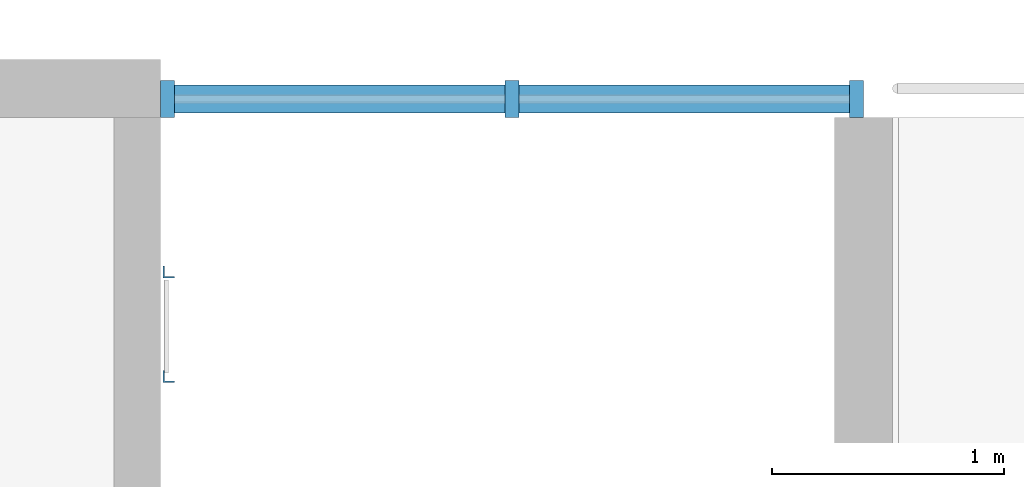
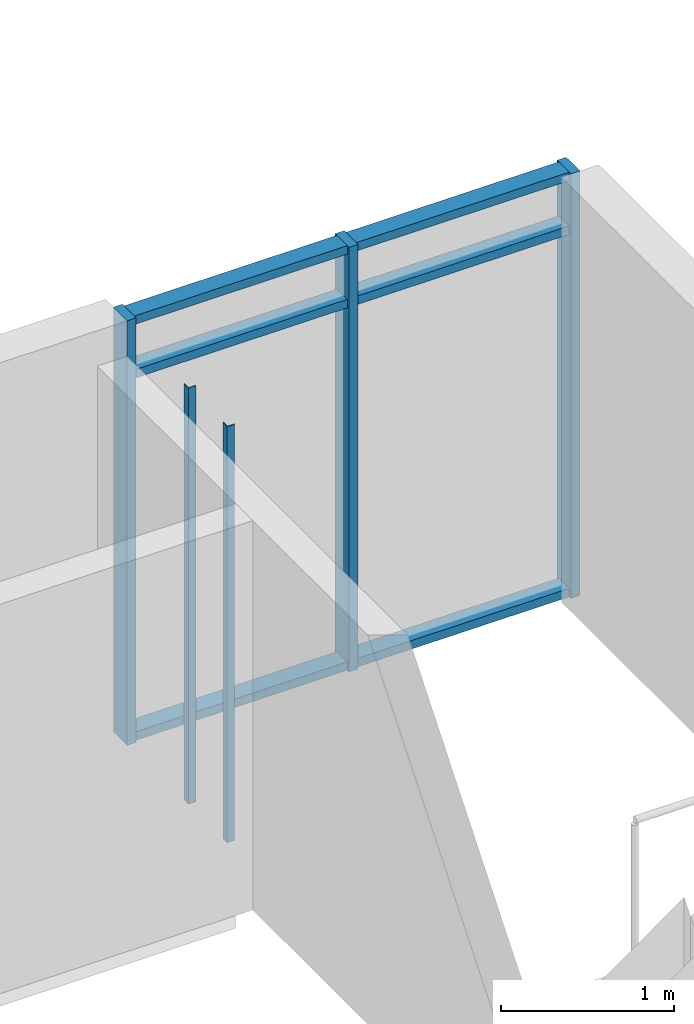
# One storey, part 8 of 33: 11 members, 1 element without a shape of its own.
"""IFC4 building model written with IfcOpenShell, lengths in metres."""

from ifc_helpers import new_model, si_unit, direction, frame, origin, origin_2d, place, context, subcontext, project, spatial, polyline, rectangle, outline, extrude, material, material_profile, profile_set, type_object, element, aggregate, save


model = new_model("IFC4")

# Units and contexts
model_context = context("Model", 3, precision=1e-05, world=origin(), true_north=direction((0.0, 1.0)))
body_context = subcontext(model_context, "Body", "Model", "MODEL_VIEW")
ifc_project = project(units=[si_unit("LENGTHUNIT", "METRE"), si_unit("AREAUNIT", "SQUARE_METRE"), si_unit("VOLUMEUNIT", "CUBIC_METRE"), si_unit("PLANEANGLEUNIT", "RADIAN"), si_unit("MASSUNIT", "GRAM", prefix="KILO")], contexts=[model_context])

# Site, building, storey
site_placement = place(None, origin())
site = spatial("IfcSite", under=ifc_project, at=site_placement, CompositionType="ELEMENT")
building_placement = place(site_placement, origin())
building = spatial("IfcBuilding", under=site, at=building_placement, Name="Ridgestep Commons", CompositionType="ELEMENT")
storey_placement = place(building_placement, frame((0.0, 0.0, 42.0)))
storey = spatial("IfcBuildingStorey", under=building, at=storey_placement, Name="L14", CompositionType="ELEMENT", Elevation=42.0)

# Members
ifc_material_1 = material(Name="Structural steel S355JR", Category="steel")
ifc_material_profile_1 = material_profile(ifc_material_1, outline(polyline([(-0.014404296875, -0.014404296875), (0.03564453125, -0.014404296875), (0.03564453125, -0.00927734375), (-0.00927734375, -0.00927734375), (-0.00927734375, 0.03564453125), (-0.014404296875, 0.03564453125), (-0.014404296875, -0.014404296875)])), Name="EA 50x50x5")
ifc_profile_set_1 = profile_set([ifc_material_profile_1], Name="Structural steel S355JR")
member_type_1 = type_object("IfcMemberType", Name="Core ladder stile EA 50x50x5", PredefinedType="STRINGER", material=ifc_profile_set_1)
for number, where, z_axis, x_axis, name in (
    (1, (166.60009765625, 21.625, 0.0), (0.0, 0.0, 1.0), (1.0, 0.0, 0.0), "Ladder stile D2C.1"),
    (2, (166.60009765625, 22.074951171875, 0.0), (0.0, 0.0, 1.0), (1.0, 0.0, 0.0), "Ladder stile D2C.2"),
):
    element("IfcMember", number, at=place(storey_placement, frame(where, z_axis=z_axis, x_axis=x_axis)), inside=storey, type_object=member_type_1, Name=name, PredefinedType="STRINGER", context=body_context, shape_type="SweptSolid", body=[
        extrude(outline(polyline([(-0.014404296875, -0.014404296875), (0.03564453125, -0.014404296875), (0.03564453125, -0.00927734375), (-0.00927734375, -0.00927734375), (-0.00927734375, 0.03564453125), (-0.014404296875, 0.03564453125), (-0.014404296875, -0.014404296875)])), origin(), (0.0, 0.0, 1.0), 2.93994140625),
    ])

# Curtain wall, members
ifc_material_2 = material(Name="Aluminium 6063-T6 and glass", Category="aluminium")
curtain_wall_type = type_object("IfcCurtainWallType", Name="Curtain wall stair strip", PredefinedType="NOTDEFINED", material=ifc_material_2)
curtain_wall_placement = place(storey_placement, origin())
curtain_wall = element("IfcCurtainWall", 3, at=curtain_wall_placement, inside=storey, type_object=curtain_wall_type, Name="Curtain wall D2C level 14", PredefinedType="NOTDEFINED")
ifc_material_3 = material(Name="Aluminium 6063-T6", Category="aluminium")
ifc_material_profile_2 = material_profile(ifc_material_3, rectangle(XDim=0.159912109375, YDim=0.06005859375, at=origin_2d()), Name="Mullion 60 x 160")
ifc_profile_set_2 = profile_set([ifc_material_profile_2], Name="Aluminium 6063-T6")
member_type_2 = type_object("IfcMemberType", Name="Mullion 60 x 160", PredefinedType="MULLION", material=ifc_profile_set_2)
member_1_placement = place(storey_placement, frame((166.60498046875, 22.830078125, 0.0), z_axis=(0.0, 0.0, 1.0), x_axis=(0.0, 1.0, 0.0)))
member_1 = element("IfcMember", 4, at=member_1_placement, type_object=member_type_2, Name="CW1 mullion 1", PredefinedType="MULLION", context=body_context, shape_type="SweptSolid", body=[
    extrude(rectangle(XDim=0.159912109375, YDim=0.06005859375, at=origin_2d()), origin(), (0.0, 0.0, 1.0), 3.0),
])
member_2_placement = place(storey_placement, frame((168.08740234375, 22.830078125, 0.0), z_axis=(0.0, 0.0, 1.0), x_axis=(0.0, 1.0, 0.0)))
member_2 = element("IfcMember", 5, at=member_2_placement, type_object=member_type_2, Name="CW1 mullion 2", PredefinedType="MULLION", context=body_context, shape_type="SweptSolid", body=[
    extrude(rectangle(XDim=0.159912109375, YDim=0.06005859375, at=origin_2d()), origin(), (0.0, 0.0, 1.0), 3.0),
])
member_3_placement = place(storey_placement, frame((169.570068359375, 22.830078125, 0.0), z_axis=(0.0, 0.0, 1.0), x_axis=(0.0, 1.0, 0.0)))
member_3 = element("IfcMember", 6, at=member_3_placement, type_object=member_type_2, Name="CW1 mullion 3", PredefinedType="MULLION", context=body_context, shape_type="SweptSolid", body=[
    extrude(rectangle(XDim=0.159912109375, YDim=0.06005859375, at=origin_2d()), origin(), (0.0, 0.0, 1.0), 3.0),
])
ifc_material_4 = material(Name="Aluminium 6063-T6", Category="aluminium")
ifc_material_profile_3 = material_profile(ifc_material_4, rectangle(XDim=0.1201171875, YDim=0.06005859375, at=origin_2d()), Name="Transom 60 x 120")
ifc_profile_set_3 = profile_set([ifc_material_profile_3], Name="Aluminium 6063-T6")
member_type_3 = type_object("IfcMemberType", Name="Transom 60 x 120", PredefinedType="USERDEFINED", material=ifc_profile_set_3)
member_4_placement = place(storey_placement, frame((166.635009765625, 22.830078125, 0.030029296875), z_axis=(1.0, 0.0, 0.0), x_axis=(0.0, 1.0, 0.0)))
member_4 = element("IfcMember", 7, at=member_4_placement, type_object=member_type_3, Name="CW1 transom 1.1", ObjectType="TRANSOM", PredefinedType="USERDEFINED", context=body_context, shape_type="SweptSolid", body=[
    extrude(rectangle(XDim=0.1201171875, YDim=0.06005859375, at=origin_2d()), origin(), (0.0, 0.0, 1.0), 1.422607421875),
])
member_5_placement = place(storey_placement, frame((166.635009765625, 22.830078125, 2.590087890625), z_axis=(1.0, 0.0, 0.0), x_axis=(0.0, 1.0, 0.0)))
member_5 = element("IfcMember", 8, at=member_5_placement, type_object=member_type_3, Name="CW1 transom 1.2", ObjectType="TRANSOM", PredefinedType="USERDEFINED", context=body_context, shape_type="SweptSolid", body=[
    extrude(rectangle(XDim=0.1201171875, YDim=0.06005859375, at=origin_2d()), origin(), (0.0, 0.0, 1.0), 1.422607421875),
])
member_6_placement = place(storey_placement, frame((166.635009765625, 22.830078125, 2.969970703125), z_axis=(1.0, 0.0, 0.0), x_axis=(0.0, 1.0, 0.0)))
member_6 = element("IfcMember", 9, at=member_6_placement, type_object=member_type_3, Name="CW1 transom 1.3", ObjectType="TRANSOM", PredefinedType="USERDEFINED", context=body_context, shape_type="SweptSolid", body=[
    extrude(rectangle(XDim=0.1201171875, YDim=0.06005859375, at=origin_2d()), origin(), (0.0, 0.0, 1.0), 1.422607421875),
])
member_7_placement = place(storey_placement, frame((168.117431640625, 22.830078125, 0.030029296875), z_axis=(1.0, 0.0, 0.0), x_axis=(0.0, 1.0, 0.0)))
member_7 = element("IfcMember", 10, at=member_7_placement, type_object=member_type_3, Name="CW1 transom 2.1", ObjectType="TRANSOM", PredefinedType="USERDEFINED", context=body_context, shape_type="SweptSolid", body=[
    extrude(rectangle(XDim=0.1201171875, YDim=0.06005859375, at=origin_2d()), origin(), (0.0, 0.0, 1.0), 1.422607421875),
])
member_8_placement = place(storey_placement, frame((168.117431640625, 22.830078125, 2.590087890625), z_axis=(1.0, 0.0, 0.0), x_axis=(0.0, 1.0, 0.0)))
member_8 = element("IfcMember", 11, at=member_8_placement, type_object=member_type_3, Name="CW1 transom 2.2", ObjectType="TRANSOM", PredefinedType="USERDEFINED", context=body_context, shape_type="SweptSolid", body=[
    extrude(rectangle(XDim=0.1201171875, YDim=0.06005859375, at=origin_2d()), origin(), (0.0, 0.0, 1.0), 1.422607421875),
])
member_9_placement = place(storey_placement, frame((168.117431640625, 22.830078125, 2.969970703125), z_axis=(1.0, 0.0, 0.0), x_axis=(0.0, 1.0, 0.0)))
member_9 = element("IfcMember", 12, at=member_9_placement, type_object=member_type_3, Name="CW1 transom 2.3", ObjectType="TRANSOM", PredefinedType="USERDEFINED", context=body_context, shape_type="SweptSolid", body=[
    extrude(rectangle(XDim=0.1201171875, YDim=0.06005859375, at=origin_2d()), origin(), (0.0, 0.0, 1.0), 1.422607421875),
])
aggregate(curtain_wall, [member_1, member_2, member_3, member_4, member_5, member_6, member_7, member_8, member_9])

save(model, "model.ifc")
